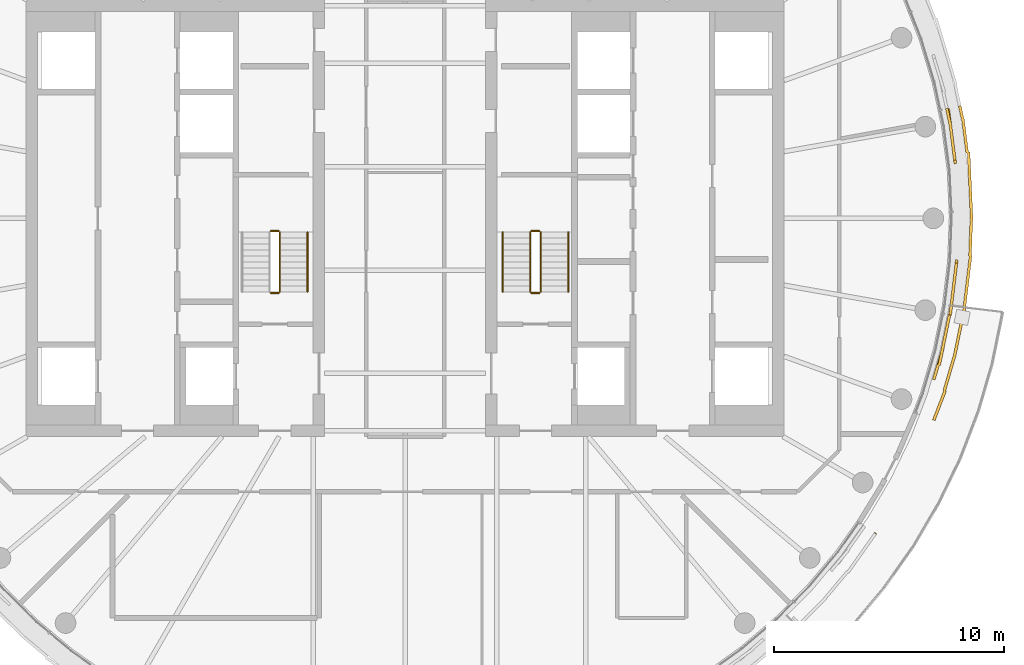
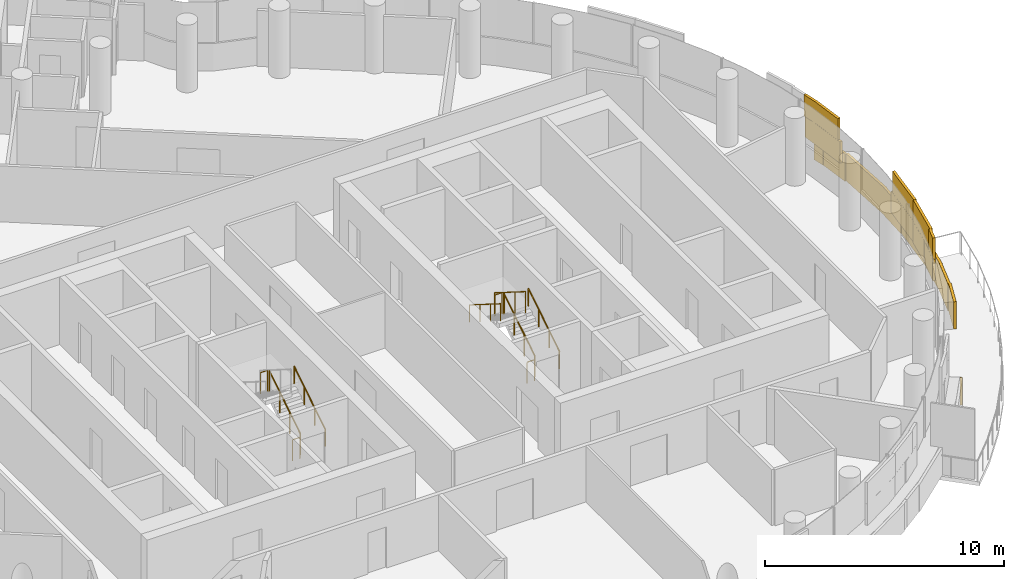
# One storey, part 23 of 26: 10 railings, 2 coverings.
"""IFC4 building model written with IfcOpenShell, lengths in metres."""

from ifc_helpers import new_model, si_unit, direction, frame, origin, origin_2d, place, context, subcontext, project, spatial, rectangle, circle, extrude, material, layer, layer_set, type_object, element, save


model = new_model("IFC4")

# Units and contexts
model_context = context("Model", 3, precision=1e-05, world=origin(), true_north=direction((0.0, 1.0)))
body_context = subcontext(model_context, "Body", "Model", "MODEL_VIEW")
ifc_project = project(units=[si_unit("LENGTHUNIT", "METRE"), si_unit("AREAUNIT", "SQUARE_METRE"), si_unit("VOLUMEUNIT", "CUBIC_METRE"), si_unit("PLANEANGLEUNIT", "RADIAN"), si_unit("MASSUNIT", "GRAM", prefix="KILO")], contexts=[model_context])

# Site, building, storey
site_placement = place(None, origin())
site = spatial("IfcSite", under=ifc_project, at=site_placement, CompositionType="ELEMENT")
building_placement = place(site_placement, origin())
building = spatial("IfcBuilding", under=site, at=building_placement, Name="Tamarind Cross Interchange Tower", CompositionType="ELEMENT")
storey_placement = place(building_placement, frame((0.0, 0.0, 234.300048828125)))
storey = spatial("IfcBuildingStorey", under=building, at=storey_placement, Name="L59", CompositionType="ELEMENT", Elevation=234.300048828125)

# Railings
ifc_material_1 = material(Name="Stair guard")
railing_type_1 = type_object("IfcRailingType", Name="Stair guard", PredefinedType="GUARDRAIL", material=ifc_material_1)
railing_1_placement = place(storey_placement, frame((-5.449951171875, -3.199951171875, 0.16357421875)))
element("IfcRailing", 1, at=railing_1_placement, inside=storey, type_object=railing_type_1, Name="L59 ST1 stair guard 1", PredefinedType="GUARDRAIL", context=body_context, shape_type="SweptSolid", body=[
    extrude(circle(Radius=0.02392578125, at=origin_2d()), frame((0.0, 0.0, 1.076171875), z_axis=(0.0, 0.846301844409, 0.532703658848), x_axis=(-1.0, 0.0, 0.0)), (0.0, 0.0, 1.0), 3.072021484375),
    extrude(circle(Radius=0.02099609375, at=origin_2d()), origin(), (0.0, 0.0, 1.0), 1.052001953125),
    extrude(circle(Radius=0.02099609375, at=origin_2d()), frame((0.0, 0.86669921875, 0.54541015625)), (0.0, 0.0, 1.0), 1.052001953125),
    extrude(circle(Radius=0.02099609375, at=origin_2d()), frame((0.0, 1.733154296875, 1.091064453125)), (0.0, 0.0, 1.0), 1.052001953125),
    extrude(circle(Radius=0.02099609375, at=origin_2d()), frame((0.0, 2.599853515625, 1.636474609375)), (0.0, 0.0, 1.0), 1.052001953125),
])
for number, where, name in (
    (2, (-5.5, -0.550048828125, 1.800048828125), "L59 ST1 stair guard 2"),
    (3, (-5.5, -3.25, 0.0), "L59 ST1 stair guard 4"),
):
    element("IfcRailing", number, at=place(storey_placement, frame(where)), inside=storey, type_object=railing_type_1, Name=name, PredefinedType="GUARDRAIL", context=body_context, shape_type="SweptSolid", body=[
        extrude(circle(Radius=0.02392578125, at=origin_2d()), frame((0.0, 0.0, 1.076171875), z_axis=(-1.0, 0.0, 0.0), x_axis=(0.0, -1.0, 0.0)), (0.0, 0.0, 1.0), 0.35009765625),
        extrude(circle(Radius=0.02099609375, at=origin_2d()), origin(), (0.0, 0.0, 1.0), 1.052001953125),
        extrude(circle(Radius=0.02099609375, at=origin_2d()), frame((-0.35009765625, 0.0, 0.0)), (0.0, 0.0, 1.0), 1.052001953125),
    ])
railing_2_placement = place(storey_placement, frame((5.89990234375, -3.199951171875, 0.16357421875)))
element("IfcRailing", 4, at=railing_2_placement, inside=storey, type_object=railing_type_1, Name="L59 ST2 stair guard 1", PredefinedType="GUARDRAIL", context=body_context, shape_type="SweptSolid", body=[
    extrude(circle(Radius=0.02392578125, at=origin_2d()), frame((0.0, 0.0, 1.076171875), z_axis=(0.0, 0.846301844409, 0.532703658848), x_axis=(-1.0, 0.0, 0.0)), (0.0, 0.0, 1.0), 3.072021484375),
    extrude(circle(Radius=0.02099609375, at=origin_2d()), origin(), (0.0, 0.0, 1.0), 1.052001953125),
    extrude(circle(Radius=0.02099609375, at=origin_2d()), frame((0.0, 0.86669921875, 0.54541015625)), (0.0, 0.0, 1.0), 1.052001953125),
    extrude(circle(Radius=0.02099609375, at=origin_2d()), frame((0.0, 1.733154296875, 1.091064453125)), (0.0, 0.0, 1.0), 1.052001953125),
    extrude(circle(Radius=0.02099609375, at=origin_2d()), frame((0.0, 2.599853515625, 1.636474609375)), (0.0, 0.0, 1.0), 1.052001953125),
])
railing_3_placement = place(storey_placement, frame((5.85009765625, -0.550048828125, 1.800048828125)))
element("IfcRailing", 5, at=railing_3_placement, inside=storey, type_object=railing_type_1, Name="L59 ST2 stair guard 2", PredefinedType="GUARDRAIL", context=body_context, shape_type="SweptSolid", body=[
    extrude(circle(Radius=0.02392578125, at=origin_2d()), frame((0.0, 0.0, 1.076171875), z_axis=(-1.0, 0.0, 0.0), x_axis=(0.0, -1.0, 0.0)), (0.0, 0.0, 1.0), 0.35009765625),
    extrude(circle(Radius=0.02099609375, at=origin_2d()), origin(), (0.0, 0.0, 1.0), 1.052001953125),
    extrude(circle(Radius=0.02099609375, at=origin_2d()), frame((-0.35009765625, 0.0, 0.0)), (0.0, 0.0, 1.0), 1.052001953125),
])
railing_4_placement = place(storey_placement, frame((5.449951171875, -0.60009765625, 1.963623046875)))
element("IfcRailing", 6, at=railing_4_placement, inside=storey, type_object=railing_type_1, Name="L59 ST2 stair guard 3", PredefinedType="GUARDRAIL", context=body_context, shape_type="SweptSolid", body=[
    extrude(circle(Radius=0.02392578125, at=origin_2d()), frame((0.0, 0.0, 1.076171875), z_axis=(0.0, -0.846337672412, 0.532646734952), x_axis=(1.0, 0.0, 0.0)), (0.0, 0.0, 1.0), 3.07177734375),
    extrude(circle(Radius=0.02099609375, at=origin_2d()), origin(), (0.0, 0.0, 1.0), 1.052001953125),
    extrude(circle(Radius=0.02099609375, at=origin_2d()), frame((0.0, -0.86669921875, 0.54541015625)), (0.0, 0.0, 1.0), 1.052001953125),
    extrude(circle(Radius=0.02099609375, at=origin_2d()), frame((0.0, -1.733154296875, 1.0908203125)), (0.0, 0.0, 1.0), 1.052001953125),
    extrude(circle(Radius=0.02099609375, at=origin_2d()), frame((0.0, -2.599853515625, 1.63623046875)), (0.0, 0.0, 1.0), 1.052001953125),
])
railing_5_placement = place(storey_placement, frame((5.85009765625, -3.25, 0.0)))
element("IfcRailing", 7, at=railing_5_placement, inside=storey, type_object=railing_type_1, Name="L59 ST2 stair guard 4", PredefinedType="GUARDRAIL", context=body_context, shape_type="SweptSolid", body=[
    extrude(circle(Radius=0.02392578125, at=origin_2d()), frame((0.0, 0.0, 1.076171875), z_axis=(-1.0, 0.0, 0.0), x_axis=(0.0, -1.0, 0.0)), (0.0, 0.0, 1.0), 0.35009765625),
    extrude(circle(Radius=0.02099609375, at=origin_2d()), origin(), (0.0, 0.0, 1.0), 1.052001953125),
    extrude(circle(Radius=0.02099609375, at=origin_2d()), frame((-0.35009765625, 0.0, 0.0)), (0.0, 0.0, 1.0), 1.052001953125),
])
ifc_material_2 = material(Name="Stair handrail")
railing_type_2 = type_object("IfcRailingType", Name="Stair handrail", PredefinedType="HANDRAIL", material=ifc_material_2)
for number, where, name in (
    (8, (-4.25, -3.199951171875, 0.16357421875), "L59 ST1 stair handrail 1"),
    (9, (7.10009765625, -3.199951171875, 0.16357421875), "L59 ST2 stair handrail 1"),
):
    element("IfcRailing", number, at=place(storey_placement, frame(where)), inside=storey, type_object=railing_type_2, Name=name, PredefinedType="HANDRAIL", context=body_context, shape_type="SweptSolid", body=[
        extrude(circle(Radius=0.02392578125, at=origin_2d()), frame((0.0, 0.0, 0.8759765625), z_axis=(0.0, 0.846301844409, 0.532703658848), x_axis=(-1.0, 0.0, 0.0)), (0.0, 0.0, 1.0), 3.072021484375),
        extrude(circle(Radius=0.02099609375, at=origin_2d()), origin(), (0.0, 0.0, 1.0), 0.851806640625),
        extrude(circle(Radius=0.02099609375, at=origin_2d()), frame((0.0, 0.86669921875, 0.54541015625)), (0.0, 0.0, 1.0), 0.851806640625),
        extrude(circle(Radius=0.02099609375, at=origin_2d()), frame((0.0, 1.733154296875, 1.091064453125)), (0.0, 0.0, 1.0), 0.851806640625),
        extrude(circle(Radius=0.02099609375, at=origin_2d()), frame((0.0, 2.599853515625, 1.636474609375)), (0.0, 0.0, 1.0), 0.851806640625),
    ])
railing_6_placement = place(storey_placement, frame((4.25, -0.60009765625, 1.963623046875)))
element("IfcRailing", 10, at=railing_6_placement, inside=storey, type_object=railing_type_2, Name="L59 ST2 stair handrail 2", PredefinedType="HANDRAIL", context=body_context, shape_type="SweptSolid", body=[
    extrude(circle(Radius=0.02392578125, at=origin_2d()), frame((0.0, 0.0, 0.8759765625), z_axis=(0.0, -0.846337672412, 0.532646734952), x_axis=(1.0, 0.0, 0.0)), (0.0, 0.0, 1.0), 3.07177734375),
    extrude(circle(Radius=0.02099609375, at=origin_2d()), origin(), (0.0, 0.0, 1.0), 0.851806640625),
    extrude(circle(Radius=0.02099609375, at=origin_2d()), frame((0.0, -0.86669921875, 0.54541015625)), (0.0, 0.0, 1.0), 0.851806640625),
    extrude(circle(Radius=0.02099609375, at=origin_2d()), frame((0.0, -1.733154296875, 1.0908203125)), (0.0, 0.0, 1.0), 0.851806640625),
    extrude(circle(Radius=0.02099609375, at=origin_2d()), frame((0.0, -2.599853515625, 1.63623046875)), (0.0, 0.0, 1.0), 0.851806640625),
])

# Coverings
ifc_material_3 = material(Name="Terracotta", Category="masonry")
ifc_layer = layer(ifc_material_3, 0.1201171875)
ifc_layer_set = layer_set([ifc_layer], Name="Terracotta")
covering_type = type_object("IfcCoveringType", Name="Terracotta baguette screen unit", PredefinedType="MOLDING", material=ifc_layer_set)
covering_1_placement = place(storey_placement, origin())
element("IfcCovering", 11, at=covering_1_placement, inside=storey, type_object=covering_type, Name="SCR-L59-02-05", PredefinedType="MOLDING", context=body_context, shape_type="SweptSolid", body=[
    extrude(rectangle(XDim=1.43505859375, YDim=0.1201171875, at=origin_2d()), frame((23.221435546875, -6.333984375, 1.40380859375), z_axis=(0.0, 0.0, 1.0), x_axis=(0.281208920763, 0.95964657186, 0.0)), (0.0, 0.0, 1.0), 1.092041015625),
    extrude(rectangle(XDim=1.480224609375, YDim=0.1201171875, at=origin_2d()), frame((23.555908203125, -4.9267578125, 1.40380859375), z_axis=(0.0, 0.0, 1.0), x_axis=(0.201001463943, 0.9795909409, 0.0)), (0.0, 0.0, 1.0), 1.092041015625),
    extrude(rectangle(XDim=0.68505859375, YDim=0.1201171875, at=origin_2d()), frame((23.115966796875, -6.69384765625, 2.50390625), z_axis=(0.0, 0.0, 1.0), x_axis=(0.281208920763, 0.95964657186, 0.0)), (0.0, 0.0, 1.0), 1.092041015625),
    extrude(rectangle(XDim=1.52001953125, YDim=0.1201171875, at=origin_2d()), frame((23.408203125, -5.646728515625, 2.50390625), z_axis=(0.0, 0.0, 1.0), x_axis=(0.201001463943, 0.9795909409, 0.0)), (0.0, 0.0, 1.0), 1.092041015625),
    extrude(rectangle(XDim=0.730224609375, YDim=0.1201171875, at=origin_2d()), frame((23.63134765625, -4.559326171875, 2.50390625), z_axis=(0.0, 0.0, 1.0), x_axis=(0.201001463943, 0.9795909409, 0.0)), (0.0, 0.0, 1.0), 1.092041015625),
    extrude(rectangle(XDim=0.03076171875, YDim=0.1201171875, at=origin_2d()), frame((20.481689453125, -13.71142578125, 0.00390625), z_axis=(0.0, 0.0, 1.0), x_axis=(0.577568978284, 0.816341886298, 0.0)), (0.0, 0.0, 1.0), 1.39208984375),
    extrude(rectangle(XDim=1.378662109375, YDim=0.1201171875, at=origin_2d()), frame((23.26708984375, -8.14453125, 0.00390625), z_axis=(0.0, 0.0, 1.0), x_axis=(0.359495435512, 0.933146843667, 0.0)), (0.0, 0.0, 1.0), 1.39208984375),
    extrude(rectangle(XDim=1.52001953125, YDim=0.1201171875, at=origin_2d()), frame((23.68896484375, -6.779541015625, 0.00390625), z_axis=(0.0, 0.0, 1.0), x_axis=(0.281208920763, 0.95964657186, 0.0)), (0.0, 0.0, 1.0), 1.39208984375),
    extrude(rectangle(XDim=1.52001953125, YDim=0.1201171875, at=origin_2d()), frame((24.0595703125, -5.327392578125, 0.00390625), z_axis=(0.0, 0.0, 1.0), x_axis=(0.201001463943, 0.9795909409, 0.0)), (0.0, 0.0, 1.0), 1.39208984375),
    extrude(rectangle(XDim=0.3017578125, YDim=0.1201171875, at=origin_2d()), frame((24.23876953125, -4.45458984375, 0.00390625), z_axis=(0.0, 0.0, 1.0), x_axis=(0.201001463943, 0.9795909409, 0.0)), (0.0, 0.0, 1.0), 1.39208984375),
])
covering_2_placement = place(storey_placement, origin())
element("IfcCovering", 12, at=covering_2_placement, inside=storey, type_object=covering_type, Name="SCR-L59-02-06", PredefinedType="MOLDING", context=body_context, shape_type="SweptSolid", body=[
    extrude(rectangle(XDim=0.039794921875, YDim=0.1201171875, at=origin_2d()), frame((23.706787109375, -4.19189453125, 1.40380859375), z_axis=(0.0, 0.0, 1.0), x_axis=(0.201001463943, 0.9795909409, 0.0)), (0.0, 0.0, 1.0), 1.092041015625),
    extrude(rectangle(XDim=1.52001953125, YDim=0.1201171875, at=origin_2d()), frame((23.825439453125, -3.43701171875, 1.40380859375), z_axis=(0.0, 0.0, 1.0), x_axis=(0.119420963295, 0.992843710523, 0.0)), (0.0, 0.0, 1.0), 1.092041015625),
    extrude(rectangle(XDim=0.901611328125, YDim=0.1201171875, at=origin_2d()), frame((23.96826171875, -2.249755859375, 1.40380859375), z_axis=(0.0, 0.0, 1.0), x_axis=(0.119420963295, 0.992843710523, 0.0)), (0.0, 0.0, 1.0), 1.092041015625),
    extrude(rectangle(XDim=0.91845703125, YDim=0.1201171875, at=origin_2d()), frame((23.898681640625, 2.837890625, 1.40380859375), z_axis=(0.0, 0.0, 1.0), x_axis=(-0.127962008342, 0.991779070368, 0.0)), (0.0, 0.0, 1.0), 1.092041015625),
    extrude(rectangle(XDim=1.52001953125, YDim=0.1201171875, at=origin_2d()), frame((23.74462890625, 4.0322265625, 1.40380859375), z_axis=(0.0, 0.0, 1.0), x_axis=(-0.127962008342, 0.991779070368, 0.0)), (0.0, 0.0, 1.0), 1.092041015625),
    extrude(rectangle(XDim=0.789794921875, YDim=0.1201171875, at=origin_2d()), frame((23.779052734375, -3.82421875, 2.50390625), z_axis=(0.0, 0.0, 1.0), x_axis=(0.119420963295, 0.992843710523, 0.0)), (0.0, 0.0, 1.0), 1.092041015625),
    extrude(rectangle(XDim=1.52001953125, YDim=0.1201171875, at=origin_2d()), frame((23.9150390625, -2.6923828125, 2.50390625), z_axis=(0.0, 0.0, 1.0), x_axis=(0.119420963295, 0.992843710523, 0.0)), (0.0, 0.0, 1.0), 1.092041015625),
    extrude(rectangle(XDim=1.52001953125, YDim=0.1201171875, at=origin_2d()), frame((23.840576171875, 3.288330078125, 2.50390625), z_axis=(0.0, 0.0, 1.0), x_axis=(-0.127962008342, 0.991779070368, 0.0)), (0.0, 0.0, 1.0), 1.092041015625),
    extrude(rectangle(XDim=0.772705078125, YDim=0.1201171875, at=origin_2d()), frame((23.667724609375, 4.40576171875, 2.50390625), z_axis=(0.0, 0.0, 1.0), x_axis=(-0.209425419705, 0.977824623121, 0.0)), (0.0, 0.0, 1.0), 1.092041015625),
    extrude(rectangle(XDim=1.21826171875, YDim=0.1201171875, at=origin_2d()), frame((24.37109375, -3.706787109375, 0.00390625), z_axis=(0.0, 0.0, 1.0), x_axis=(0.119420963295, 0.992843710523, 0.0)), (0.0, 0.0, 1.0), 1.39208984375),
    extrude(rectangle(XDim=1.52001953125, YDim=0.1201171875, at=origin_2d()), frame((24.5322265625, -2.367431640625, 0.00390625), z_axis=(0.0, 0.0, 1.0), x_axis=(0.119420963295, 0.992843710523, 0.0)), (0.0, 0.0, 1.0), 1.39208984375),
    extrude(rectangle(XDim=1.52001953125, YDim=0.1201171875, at=origin_2d()), frame((24.6240234375, -0.871337890625, 0.00390625), z_axis=(0.0, 0.0, 1.0), x_axis=(0.037024696392, 0.999314350871, 0.0)), (0.0, 0.0, 1.0), 1.39208984375),
    extrude(rectangle(XDim=1.52001953125, YDim=0.1201171875, at=origin_2d()), frame((24.636474609375, 0.62744140625, 0.00390625), z_axis=(0.0, 0.0, 1.0), x_axis=(-0.045624486728, 0.998958660912, 0.0)), (0.0, 0.0, 1.0), 1.39208984375),
    extrude(rectangle(XDim=1.52001953125, YDim=0.1201171875, at=origin_2d()), frame((24.568115234375, 2.1259765625, 0.00390625), z_axis=(0.0, 0.0, 1.0), x_axis=(-0.045624486728, 0.998958660912, 0.0)), (0.0, 0.0, 1.0), 1.39208984375),
    extrude(rectangle(XDim=1.52001953125, YDim=0.1201171875, at=origin_2d()), frame((24.37744140625, 3.61376953125, 0.00390625), z_axis=(0.0, 0.0, 1.0), x_axis=(-0.127962008342, 0.991779070368, 0.0)), (0.0, 0.0, 1.0), 1.39208984375),
    extrude(rectangle(XDim=0.56005859375, YDim=0.1201171875, at=origin_2d()), frame((24.208984375, 4.618896484375, 0.00390625), z_axis=(0.0, 0.0, 1.0), x_axis=(-0.209425419705, 0.977824623121, 0.0)), (0.0, 0.0, 1.0), 1.39208984375),
])

save(model, "model.ifc")
